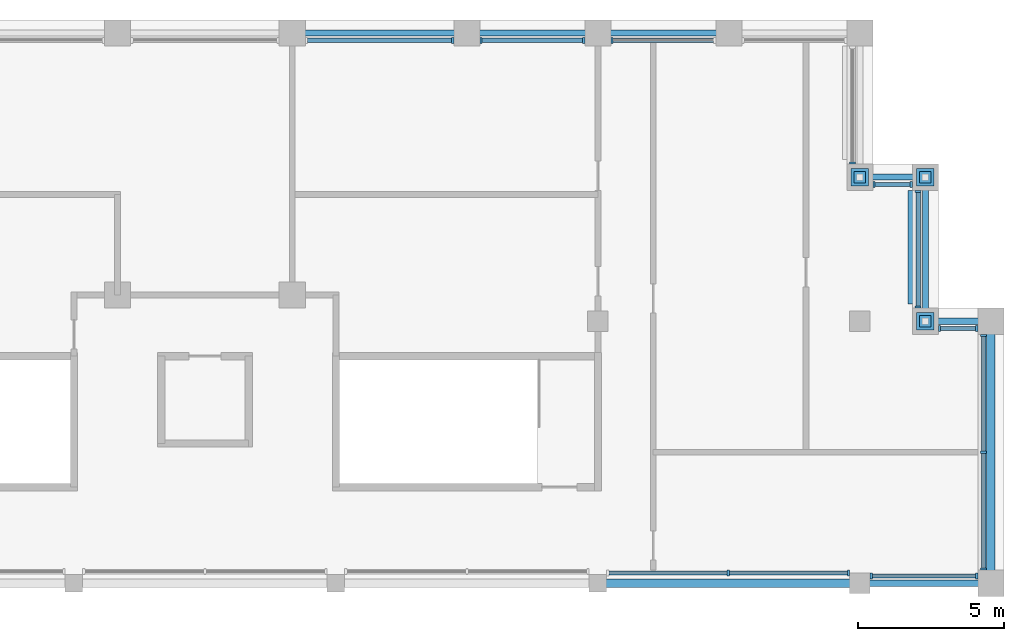
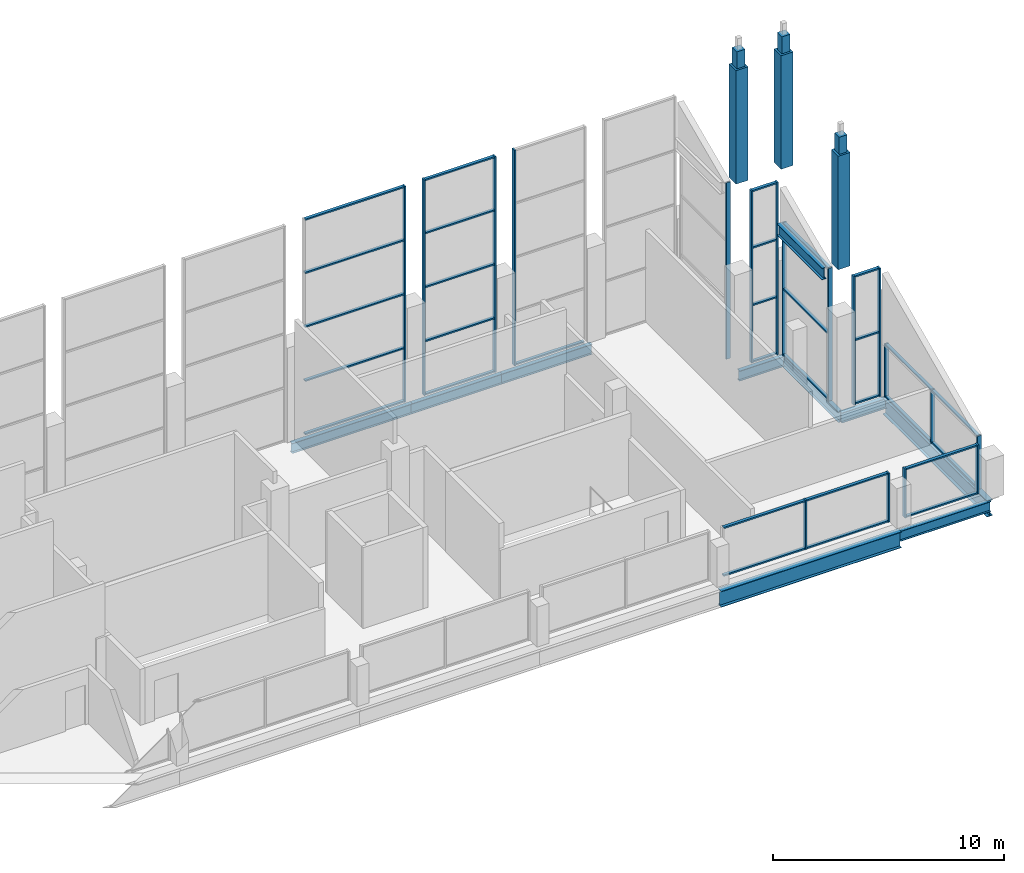
# One storey, part 4 of 9: 55 members, 10 beams, 10 elements without a shape of their own.
"""IFC4 building model written with IfcOpenShell, lengths in metres."""

from ifc_helpers import new_model, si_unit, direction, frame, origin, origin_2d, place, context, subcontext, project, spatial, rectangle, i_section, extrude, material, layer, layer_set, material_profile, profile_set, type_object, element, aggregate, save


model = new_model("IFC4")

# Units and contexts
model_context = context("Model", 3, precision=1e-05, world=origin(), true_north=direction((0.0, 1.0)))
body_context = subcontext(model_context, "Body", "Model", "MODEL_VIEW")
ifc_project = project(units=[si_unit("LENGTHUNIT", "METRE"), si_unit("AREAUNIT", "SQUARE_METRE"), si_unit("VOLUMEUNIT", "CUBIC_METRE"), si_unit("PLANEANGLEUNIT", "RADIAN"), si_unit("MASSUNIT", "GRAM", prefix="KILO")], contexts=[model_context])

# Site, building, storey
site_placement = place(None, origin())
site = spatial("IfcSite", under=ifc_project, at=site_placement, CompositionType="ELEMENT")
building_placement = place(site_placement, origin())
building = spatial("IfcBuilding", under=site, at=building_placement, Name="Corbelhall Arena Tower", CompositionType="ELEMENT")
storey_placement = place(building_placement, frame((0.0, 0.0, 386.0)))
storey = spatial("IfcBuildingStorey", under=building, at=storey_placement, Name="L83", CompositionType="ELEMENT", Elevation=386.0)

# Curtain wall, members
ifc_material_1 = material(Name="Aluminium black anodised", Category="aluminium")
ifc_layer = layer(ifc_material_1, 0.179931640625)
ifc_layer_set = layer_set([ifc_layer], Name="EV-CW3 Crown glazing")
curtain_wall_type = type_object("IfcCurtainWallType", Name="EV-CW3 Crown glazing", PredefinedType="NOTDEFINED", material=ifc_layer_set)
curtain_wall_1_placement = place(storey_placement, origin())
curtain_wall_1 = element("IfcCurtainWall", 1, at=curtain_wall_1_placement, inside=storey, type_object=curtain_wall_type, Name="Curtain wall CW3I", PredefinedType="NOTDEFINED")
ifc_material_profile_1 = material_profile(ifc_material_1, rectangle(XDim=0.199951171875, YDim=0.074951171875, at=origin_2d()))
ifc_profile_set_1 = profile_set([ifc_material_profile_1], Name="Aluminium black anodised")
member_type_1 = type_object("IfcMemberType", Name="EV-CW3-MULLION", PredefinedType="MULLION", material=ifc_profile_set_1)
member_1_placement = place(storey_placement, frame((17.97509765625, 9.35009765625, 0.0), z_axis=(0.0, 0.0, 1.0), x_axis=(0.0, 1.0, 0.0)))
member_1 = element("IfcMember", 2, at=member_1_placement, type_object=member_type_1, Name="CW3I mullion 2", PredefinedType="MULLION", context=body_context, shape_type="SweptSolid", body=[
    extrude(rectangle(XDim=0.199951171875, YDim=0.074951171875, at=origin_2d()), origin(), (0.0, 0.0, 1.0), 2.593505859375),
])
member_2_placement = place(storey_placement, frame((22.112548828125, 9.35009765625, 0.0), z_axis=(0.0, 0.0, 1.0), x_axis=(0.0, 1.0, 0.0)))
member_2 = element("IfcMember", 3, at=member_2_placement, type_object=member_type_1, Name="CW3I mullion 3", PredefinedType="MULLION", context=body_context, shape_type="SweptSolid", body=[
    extrude(rectangle(XDim=0.199951171875, YDim=0.074951171875, at=origin_2d()), origin(), (0.0, 0.0, 1.0), 2.593505859375),
])

curtain_wall_2_placement = place(storey_placement, origin())
curtain_wall_2 = element("IfcCurtainWall", 4, at=curtain_wall_2_placement, inside=storey, type_object=curtain_wall_type, Name="Curtain wall CW3E", PredefinedType="NOTDEFINED")
member_3_placement = place(storey_placement, frame((22.887451171875, 9.25, 0.0), z_axis=(0.0, 0.0, 1.0), x_axis=(0.0, 1.0, 0.0)))
member_3 = element("IfcMember", 5, at=member_3_placement, type_object=member_type_1, Name="CW3E mullion 1", PredefinedType="MULLION", context=body_context, shape_type="SweptSolid", body=[
    extrude(rectangle(XDim=0.199951171875, YDim=0.074951171875, at=origin_2d()), origin(), (0.0, 0.0, 1.0), 2.593505859375),
])
member_4_placement = place(storey_placement, frame((26.512451171875, 9.25, 0.0), z_axis=(0.0, 0.0, 1.0), x_axis=(0.0, 1.0, 0.0)))
member_4 = element("IfcMember", 6, at=member_4_placement, type_object=member_type_1, Name="CW3E mullion 2", PredefinedType="MULLION", context=body_context, shape_type="SweptSolid", body=[
    extrude(rectangle(XDim=0.199951171875, YDim=0.074951171875, at=origin_2d()), origin(), (0.0, 0.0, 1.0), 2.593505859375),
])

curtain_wall_3_placement = place(storey_placement, origin())
curtain_wall_3 = element("IfcCurtainWall", 7, at=curtain_wall_3_placement, inside=storey, type_object=curtain_wall_type, Name="Curtain wall CW3F", PredefinedType="NOTDEFINED")
member_5_placement = place(storey_placement, frame((26.75, 9.487548828125, 0.0), z_axis=(0.0, 0.0, 1.0), x_axis=(-1.0, 0.0, 0.0)))
member_5 = element("IfcMember", 8, at=member_5_placement, type_object=member_type_1, Name="CW3F mullion 1", PredefinedType="MULLION", context=body_context, shape_type="SweptSolid", body=[
    extrude(rectangle(XDim=0.199951171875, YDim=0.074951171875, at=origin_2d()), origin(), (0.0, 0.0, 1.0), 2.826416015625),
])
member_6_placement = place(storey_placement, frame((26.75, 13.5, 0.0), z_axis=(0.0, 0.0, 1.0), x_axis=(-1.0, 0.0, 0.0)))
member_6 = element("IfcMember", 9, at=member_6_placement, type_object=member_type_1, Name="CW3F mullion 2", PredefinedType="MULLION", context=body_context, shape_type="SweptSolid", body=[
    extrude(rectangle(XDim=0.199951171875, YDim=0.074951171875, at=origin_2d()), origin(), (0.0, 0.0, 1.0), 2.826416015625),
])
member_7_placement = place(storey_placement, frame((26.75, 17.512451171875, 0.0), z_axis=(0.0, 0.0, 1.0), x_axis=(-1.0, 0.0, 0.0)))
member_7 = element("IfcMember", 10, at=member_7_placement, type_object=member_type_1, Name="CW3F mullion 3", PredefinedType="MULLION", context=body_context, shape_type="SweptSolid", body=[
    extrude(rectangle(XDim=0.199951171875, YDim=0.074951171875, at=origin_2d()), origin(), (0.0, 0.0, 1.0), 2.826416015625),
])

curtain_wall_4_placement = place(storey_placement, origin())
curtain_wall_4 = element("IfcCurtainWall", 11, at=curtain_wall_4_placement, inside=storey, type_object=curtain_wall_type, Name="Curtain wall CW3C", PredefinedType="NOTDEFINED")
member_8_placement = place(storey_placement, frame((26.512451171875, 17.75, 0.0), z_axis=(0.0, 0.0, 1.0), x_axis=(0.0, -1.0, 0.0)))
member_8 = element("IfcMember", 12, at=member_8_placement, type_object=member_type_1, Name="CW3C mullion 1", PredefinedType="MULLION", context=body_context, shape_type="SweptSolid", body=[
    extrude(rectangle(XDim=0.199951171875, YDim=0.074951171875, at=origin_2d()), origin(), (0.0, 0.0, 1.0), 6.787109375),
])
member_9_placement = place(storey_placement, frame((25.237548828125, 17.75, 0.0), z_axis=(0.0, 0.0, 1.0), x_axis=(0.0, -1.0, 0.0)))
member_9 = element("IfcMember", 13, at=member_9_placement, type_object=member_type_1, Name="CW3C mullion 2", PredefinedType="MULLION", context=body_context, shape_type="SweptSolid", body=[
    extrude(rectangle(XDim=0.199951171875, YDim=0.074951171875, at=origin_2d()), origin(), (0.0, 0.0, 1.0), 6.787109375),
])

curtain_wall_5_placement = place(storey_placement, origin())
curtain_wall_5 = element("IfcCurtainWall", 14, at=curtain_wall_5_placement, inside=storey, type_object=curtain_wall_type, Name="Curtain wall CW3G", PredefinedType="NOTDEFINED")
member_10_placement = place(storey_placement, frame((24.5, 18.487548828125, 0.0), z_axis=(0.0, 0.0, 1.0), x_axis=(-1.0, 0.0, 0.0)))
member_10 = element("IfcMember", 15, at=member_10_placement, type_object=member_type_1, Name="CW3G mullion 1", PredefinedType="MULLION", context=body_context, shape_type="SweptSolid", body=[
    extrude(rectangle(XDim=0.199951171875, YDim=0.074951171875, at=origin_2d()), origin(), (0.0, 0.0, 1.0), 7.02001953125),
])
member_11_placement = place(storey_placement, frame((24.5, 22.46240234375, 0.0), z_axis=(0.0, 0.0, 1.0), x_axis=(-1.0, 0.0, 0.0)))
member_11 = element("IfcMember", 16, at=member_11_placement, type_object=member_type_1, Name="CW3G mullion 2", PredefinedType="MULLION", context=body_context, shape_type="SweptSolid", body=[
    extrude(rectangle(XDim=0.199951171875, YDim=0.074951171875, at=origin_2d()), origin(), (0.0, 0.0, 1.0), 7.02001953125),
])

curtain_wall_6_placement = place(storey_placement, origin())
curtain_wall_6 = element("IfcCurtainWall", 17, at=curtain_wall_6_placement, inside=storey, type_object=curtain_wall_type, Name="Curtain wall CW3D", PredefinedType="NOTDEFINED")
member_12_placement = place(storey_placement, frame((24.262451171875, 22.699951171875, 0.0), z_axis=(0.0, 0.0, 1.0), x_axis=(0.0, -1.0, 0.0)))
member_12 = element("IfcMember", 18, at=member_12_placement, type_object=member_type_1, Name="CW3D mullion 1", PredefinedType="MULLION", context=body_context, shape_type="SweptSolid", body=[
    extrude(rectangle(XDim=0.199951171875, YDim=0.074951171875, at=origin_2d()), origin(), (0.0, 0.0, 1.0), 9.093505859375),
])
member_13_placement = place(storey_placement, frame((22.987548828125, 22.699951171875, 0.0), z_axis=(0.0, 0.0, 1.0), x_axis=(0.0, -1.0, 0.0)))
member_13 = element("IfcMember", 19, at=member_13_placement, type_object=member_type_1, Name="CW3D mullion 2", PredefinedType="MULLION", context=body_context, shape_type="SweptSolid", body=[
    extrude(rectangle(XDim=0.199951171875, YDim=0.074951171875, at=origin_2d()), origin(), (0.0, 0.0, 1.0), 9.093505859375),
])

# Curtain wall, member
curtain_wall_7_placement = place(storey_placement, origin())
curtain_wall_7 = element("IfcCurtainWall", 20, at=curtain_wall_7_placement, inside=storey, type_object=curtain_wall_type, Name="Curtain wall CW3H", PredefinedType="NOTDEFINED")
member_14_placement = place(storey_placement, frame((22.25, 23.4375, 0.0), z_axis=(0.0, 0.0, 1.0), x_axis=(-1.0, 0.0, 0.0)))
member_14 = element("IfcMember", 21, at=member_14_placement, type_object=member_type_1, Name="CW3H mullion 1", PredefinedType="MULLION", context=body_context, shape_type="SweptSolid", body=[
    extrude(rectangle(XDim=0.199951171875, YDim=0.074951171875, at=origin_2d()), origin(), (0.0, 0.0, 1.0), 9.326416015625),
])
aggregate(curtain_wall_7, [member_14])

curtain_wall_8_placement = place(storey_placement, origin())
curtain_wall_8 = element("IfcCurtainWall", 22, at=curtain_wall_8_placement, inside=storey, type_object=curtain_wall_type, Name="Curtain wall CW3", PredefinedType="NOTDEFINED")
member_15_placement = place(storey_placement, frame((13.987548828125, 27.64990234375, 0.0), z_axis=(0.0, 0.0, 1.0), x_axis=(0.0, -1.0, 0.0)))
member_15 = element("IfcMember", 23, at=member_15_placement, type_object=member_type_1, Name="CW3 mullion 2", PredefinedType="MULLION", context=body_context, shape_type="SweptSolid", body=[
    extrude(rectangle(XDim=0.199951171875, YDim=0.074951171875, at=origin_2d()), origin(), (0.0, 0.0, 1.0), 11.39990234375),
])

# Curtain wall, members
curtain_wall_9_placement = place(storey_placement, origin())
curtain_wall_9 = element("IfcCurtainWall", 24, at=curtain_wall_9_placement, inside=storey, type_object=curtain_wall_type, Name="Curtain wall CW3", PredefinedType="NOTDEFINED")
member_16_placement = place(storey_placement, frame((13.012451171875, 27.64990234375, 0.0), z_axis=(0.0, 0.0, 1.0), x_axis=(0.0, -1.0, 0.0)))
member_16 = element("IfcMember", 25, at=member_16_placement, type_object=member_type_1, Name="CW3 mullion 1", PredefinedType="MULLION", context=body_context, shape_type="SweptSolid", body=[
    extrude(rectangle(XDim=0.199951171875, YDim=0.074951171875, at=origin_2d()), origin(), (0.0, 0.0, 1.0), 11.39990234375),
])
member_17_placement = place(storey_placement, frame((9.487548828125, 27.64990234375, 0.0), z_axis=(0.0, 0.0, 1.0), x_axis=(0.0, -1.0, 0.0)))
member_17 = element("IfcMember", 26, at=member_17_placement, type_object=member_type_1, Name="CW3 mullion 2", PredefinedType="MULLION", context=body_context, shape_type="SweptSolid", body=[
    extrude(rectangle(XDim=0.199951171875, YDim=0.074951171875, at=origin_2d()), origin(), (0.0, 0.0, 1.0), 11.39990234375),
])

# Curtain wall, member
curtain_wall_10_placement = place(storey_placement, origin())
curtain_wall_10 = element("IfcCurtainWall", 27, at=curtain_wall_10_placement, inside=storey, type_object=curtain_wall_type, Name="Curtain wall CW3B", PredefinedType="NOTDEFINED")
member_18_placement = place(storey_placement, frame((8.512451171875, 27.64990234375, 0.0), z_axis=(0.0, 0.0, 1.0), x_axis=(0.0, -1.0, 0.0)))
member_18 = element("IfcMember", 28, at=member_18_placement, type_object=member_type_1, Name="CW3B mullion 1", PredefinedType="MULLION", context=body_context, shape_type="SweptSolid", body=[
    extrude(rectangle(XDim=0.199951171875, YDim=0.074951171875, at=origin_2d()), origin(), (0.0, 0.0, 1.0), 11.39990234375),
])

# Member
ifc_material_profile_2 = material_profile(ifc_material_1, rectangle(XDim=0.14990234375, YDim=0.074951171875, at=origin_2d()))
ifc_profile_set_2 = profile_set([ifc_material_profile_2], Name="Aluminium black anodised")
member_type_2 = type_object("IfcMemberType", Name="EV-CW3-TRANSOM", PredefinedType="USERDEFINED", material=ifc_profile_set_2)
member_19_placement = place(storey_placement, frame((13.875, 9.35009765625, 0.03759765625), z_axis=(1.0, 0.0, 0.0), x_axis=(0.0, 1.0, 0.0)))
member_19 = element("IfcMember", 29, at=member_19_placement, type_object=member_type_2, Name="CW3I transom 1.1", ObjectType="transom", PredefinedType="USERDEFINED", context=body_context, shape_type="SweptSolid", body=[
    extrude(rectangle(XDim=0.14990234375, YDim=0.074951171875, at=origin_2d()), origin(), (0.0, 0.0, 1.0), 4.0625),
])

member_20_placement = place(storey_placement, frame((13.875, 9.35009765625, 2.55615234375), z_axis=(1.0, 0.0, 0.0), x_axis=(0.0, 1.0, 0.0)))
member_20 = element("IfcMember", 30, at=member_20_placement, type_object=member_type_2, Name="CW3I transom 1.2", ObjectType="transom", PredefinedType="USERDEFINED", context=body_context, shape_type="SweptSolid", body=[
    extrude(rectangle(XDim=0.14990234375, YDim=0.074951171875, at=origin_2d()), origin(), (0.0, 0.0, 1.0), 4.0625),
])

member_21_placement = place(storey_placement, frame((18.012451171875, 9.35009765625, 0.03759765625), z_axis=(1.0, 0.0, 0.0), x_axis=(0.0, 1.0, 0.0)))
member_21 = element("IfcMember", 31, at=member_21_placement, type_object=member_type_2, Name="CW3I transom 2.1", ObjectType="transom", PredefinedType="USERDEFINED", context=body_context, shape_type="SweptSolid", body=[
    extrude(rectangle(XDim=0.14990234375, YDim=0.074951171875, at=origin_2d()), origin(), (0.0, 0.0, 1.0), 4.0625),
])

member_22_placement = place(storey_placement, frame((18.012451171875, 9.35009765625, 2.55615234375), z_axis=(1.0, 0.0, 0.0), x_axis=(0.0, 1.0, 0.0)))
member_22 = element("IfcMember", 32, at=member_22_placement, type_object=member_type_2, Name="CW3I transom 2.2", ObjectType="transom", PredefinedType="USERDEFINED", context=body_context, shape_type="SweptSolid", body=[
    extrude(rectangle(XDim=0.14990234375, YDim=0.074951171875, at=origin_2d()), origin(), (0.0, 0.0, 1.0), 4.0625),
])

aggregate(curtain_wall_1, [member_1, member_2, member_19, member_20, member_21, member_22])

member_23_placement = place(storey_placement, frame((22.925048828125, 9.25, 0.03759765625), z_axis=(1.0, 0.0, 0.0), x_axis=(0.0, 1.0, 0.0)))
member_23 = element("IfcMember", 33, at=member_23_placement, type_object=member_type_2, Name="CW3E transom 1.1", ObjectType="transom", PredefinedType="USERDEFINED", context=body_context, shape_type="SweptSolid", body=[
    extrude(rectangle(XDim=0.14990234375, YDim=0.074951171875, at=origin_2d()), origin(), (0.0, 0.0, 1.0), 3.550048828125),
])

member_24_placement = place(storey_placement, frame((22.925048828125, 9.25, 2.55615234375), z_axis=(1.0, 0.0, 0.0), x_axis=(0.0, 1.0, 0.0)))
member_24 = element("IfcMember", 34, at=member_24_placement, type_object=member_type_2, Name="CW3E transom 1.2", ObjectType="transom", PredefinedType="USERDEFINED", context=body_context, shape_type="SweptSolid", body=[
    extrude(rectangle(XDim=0.14990234375, YDim=0.074951171875, at=origin_2d()), origin(), (0.0, 0.0, 1.0), 3.550048828125),
])

aggregate(curtain_wall_2, [member_3, member_4, member_23, member_24])

member_25_placement = place(storey_placement, frame((26.75, 9.52490234375, 0.03759765625), z_axis=(0.0, 1.0, 0.0), x_axis=(-1.0, 0.0, 0.0)))
member_25 = element("IfcMember", 35, at=member_25_placement, type_object=member_type_2, Name="CW3F transom 1.1", ObjectType="transom", PredefinedType="USERDEFINED", context=body_context, shape_type="SweptSolid", body=[
    extrude(rectangle(XDim=0.14990234375, YDim=0.074951171875, at=origin_2d()), origin(), (0.0, 0.0, 1.0), 3.9375),
])

member_26_placement = place(storey_placement, frame((26.75, 9.52490234375, 2.7890625), z_axis=(0.0, 1.0, 0.0), x_axis=(-1.0, 0.0, 0.0)))
member_26 = element("IfcMember", 36, at=member_26_placement, type_object=member_type_2, Name="CW3F transom 1.2", ObjectType="transom", PredefinedType="USERDEFINED", context=body_context, shape_type="SweptSolid", body=[
    extrude(rectangle(XDim=0.14990234375, YDim=0.074951171875, at=origin_2d()), origin(), (0.0, 0.0, 1.0), 3.9375),
])

member_27_placement = place(storey_placement, frame((26.75, 13.53759765625, 0.03759765625), z_axis=(0.0, 1.0, 0.0), x_axis=(-1.0, 0.0, 0.0)))
member_27 = element("IfcMember", 37, at=member_27_placement, type_object=member_type_2, Name="CW3F transom 2.1", ObjectType="transom", PredefinedType="USERDEFINED", context=body_context, shape_type="SweptSolid", body=[
    extrude(rectangle(XDim=0.14990234375, YDim=0.074951171875, at=origin_2d()), origin(), (0.0, 0.0, 1.0), 3.9375),
])

member_28_placement = place(storey_placement, frame((26.75, 13.53759765625, 2.7890625), z_axis=(0.0, 1.0, 0.0), x_axis=(-1.0, 0.0, 0.0)))
member_28 = element("IfcMember", 38, at=member_28_placement, type_object=member_type_2, Name="CW3F transom 2.2", ObjectType="transom", PredefinedType="USERDEFINED", context=body_context, shape_type="SweptSolid", body=[
    extrude(rectangle(XDim=0.14990234375, YDim=0.074951171875, at=origin_2d()), origin(), (0.0, 0.0, 1.0), 3.9375),
])

aggregate(curtain_wall_3, [member_5, member_6, member_7, member_25, member_26, member_27, member_28])

member_29_placement = place(storey_placement, frame((26.47509765625, 17.75, 0.03759765625), z_axis=(-1.0, 0.0, 0.0), x_axis=(0.0, -1.0, 0.0)))
member_29 = element("IfcMember", 39, at=member_29_placement, type_object=member_type_2, Name="CW3C transom 1.1", ObjectType="transom", PredefinedType="USERDEFINED", context=body_context, shape_type="SweptSolid", body=[
    extrude(rectangle(XDim=0.14990234375, YDim=0.074951171875, at=origin_2d()), origin(), (0.0, 0.0, 1.0), 1.2001953125),
])

member_30_placement = place(storey_placement, frame((26.47509765625, 17.75, 3.3935546875), z_axis=(-1.0, 0.0, 0.0), x_axis=(0.0, -1.0, 0.0)))
member_30 = element("IfcMember", 40, at=member_30_placement, type_object=member_type_2, Name="CW3C transom 1.2", ObjectType="transom", PredefinedType="USERDEFINED", context=body_context, shape_type="SweptSolid", body=[
    extrude(rectangle(XDim=0.14990234375, YDim=0.074951171875, at=origin_2d()), origin(), (0.0, 0.0, 1.0), 1.2001953125),
])

member_31_placement = place(storey_placement, frame((26.47509765625, 17.75, 6.74951171875), z_axis=(-1.0, 0.0, 0.0), x_axis=(0.0, -1.0, 0.0)))
member_31 = element("IfcMember", 41, at=member_31_placement, type_object=member_type_2, Name="CW3C transom 1.3", ObjectType="transom", PredefinedType="USERDEFINED", context=body_context, shape_type="SweptSolid", body=[
    extrude(rectangle(XDim=0.14990234375, YDim=0.074951171875, at=origin_2d()), origin(), (0.0, 0.0, 1.0), 1.2001953125),
])

aggregate(curtain_wall_4, [member_8, member_9, member_29, member_30, member_31])

member_32_placement = place(storey_placement, frame((24.5, 18.52490234375, 0.03759765625), z_axis=(0.0, 1.0, 0.0), x_axis=(-1.0, 0.0, 0.0)))
member_32 = element("IfcMember", 42, at=member_32_placement, type_object=member_type_2, Name="CW3G transom 1.1", ObjectType="transom", PredefinedType="USERDEFINED", context=body_context, shape_type="SweptSolid", body=[
    extrude(rectangle(XDim=0.14990234375, YDim=0.074951171875, at=origin_2d()), origin(), (0.0, 0.0, 1.0), 3.900146484375),
])

member_33_placement = place(storey_placement, frame((24.5, 18.52490234375, 3.510009765625), z_axis=(0.0, 1.0, 0.0), x_axis=(-1.0, 0.0, 0.0)))
member_33 = element("IfcMember", 43, at=member_33_placement, type_object=member_type_2, Name="CW3G transom 1.2", ObjectType="transom", PredefinedType="USERDEFINED", context=body_context, shape_type="SweptSolid", body=[
    extrude(rectangle(XDim=0.14990234375, YDim=0.074951171875, at=origin_2d()), origin(), (0.0, 0.0, 1.0), 3.900146484375),
])

member_34_placement = place(storey_placement, frame((24.5, 18.52490234375, 6.982666015625), z_axis=(0.0, 1.0, 0.0), x_axis=(-1.0, 0.0, 0.0)))
member_34 = element("IfcMember", 44, at=member_34_placement, type_object=member_type_2, Name="CW3G transom 1.3", ObjectType="transom", PredefinedType="USERDEFINED", context=body_context, shape_type="SweptSolid", body=[
    extrude(rectangle(XDim=0.14990234375, YDim=0.074951171875, at=origin_2d()), origin(), (0.0, 0.0, 1.0), 3.900146484375),
])

aggregate(curtain_wall_5, [member_10, member_11, member_32, member_33, member_34])

member_35_placement = place(storey_placement, frame((24.22509765625, 22.699951171875, 0.03759765625), z_axis=(-1.0, 0.0, 0.0), x_axis=(0.0, -1.0, 0.0)))
member_35 = element("IfcMember", 45, at=member_35_placement, type_object=member_type_2, Name="CW3D transom 1.1", ObjectType="transom", PredefinedType="USERDEFINED", context=body_context, shape_type="SweptSolid", body=[
    extrude(rectangle(XDim=0.14990234375, YDim=0.074951171875, at=origin_2d()), origin(), (0.0, 0.0, 1.0), 1.2001953125),
])

member_36_placement = place(storey_placement, frame((24.22509765625, 22.699951171875, 3.03125), z_axis=(-1.0, 0.0, 0.0), x_axis=(0.0, -1.0, 0.0)))
member_36 = element("IfcMember", 46, at=member_36_placement, type_object=member_type_2, Name="CW3D transom 1.2", ObjectType="transom", PredefinedType="USERDEFINED", context=body_context, shape_type="SweptSolid", body=[
    extrude(rectangle(XDim=0.14990234375, YDim=0.074951171875, at=origin_2d()), origin(), (0.0, 0.0, 1.0), 1.2001953125),
])

member_37_placement = place(storey_placement, frame((24.22509765625, 22.699951171875, 6.062255859375), z_axis=(-1.0, 0.0, 0.0), x_axis=(0.0, -1.0, 0.0)))
member_37 = element("IfcMember", 47, at=member_37_placement, type_object=member_type_2, Name="CW3D transom 1.3", ObjectType="transom", PredefinedType="USERDEFINED", context=body_context, shape_type="SweptSolid", body=[
    extrude(rectangle(XDim=0.14990234375, YDim=0.074951171875, at=origin_2d()), origin(), (0.0, 0.0, 1.0), 1.2001953125),
])

member_38_placement = place(storey_placement, frame((24.22509765625, 22.699951171875, 9.05615234375), z_axis=(-1.0, 0.0, 0.0), x_axis=(0.0, -1.0, 0.0)))
member_38 = element("IfcMember", 48, at=member_38_placement, type_object=member_type_2, Name="CW3D transom 1.4", ObjectType="transom", PredefinedType="USERDEFINED", context=body_context, shape_type="SweptSolid", body=[
    extrude(rectangle(XDim=0.14990234375, YDim=0.074951171875, at=origin_2d()), origin(), (0.0, 0.0, 1.0), 1.2001953125),
])

aggregate(curtain_wall_6, [member_12, member_13, member_35, member_36, member_37, member_38])

member_39_placement = place(storey_placement, frame((17.47509765625, 27.64990234375, 0.03759765625), z_axis=(-1.0, 0.0, 0.0), x_axis=(0.0, -1.0, 0.0)))
member_39 = element("IfcMember", 49, at=member_39_placement, type_object=member_type_2, Name="CW3 transom 1.1", ObjectType="transom", PredefinedType="USERDEFINED", context=body_context, shape_type="SweptSolid", body=[
    extrude(rectangle(XDim=0.14990234375, YDim=0.074951171875, at=origin_2d()), origin(), (0.0, 0.0, 1.0), 3.4501953125),
])

aggregate(curtain_wall_8, [member_15, member_39])

member_40_placement = place(storey_placement, frame((12.97509765625, 27.64990234375, 0.03759765625), z_axis=(-1.0, 0.0, 0.0), x_axis=(0.0, -1.0, 0.0)))
member_40 = element("IfcMember", 50, at=member_40_placement, type_object=member_type_2, Name="CW3 transom 1.1", ObjectType="transom", PredefinedType="USERDEFINED", context=body_context, shape_type="SweptSolid", body=[
    extrude(rectangle(XDim=0.14990234375, YDim=0.074951171875, at=origin_2d()), origin(), (0.0, 0.0, 1.0), 3.4501953125),
])

member_41_placement = place(storey_placement, frame((12.97509765625, 27.64990234375, 2.85009765625), z_axis=(-1.0, 0.0, 0.0), x_axis=(0.0, -1.0, 0.0)))
member_41 = element("IfcMember", 51, at=member_41_placement, type_object=member_type_2, Name="CW3 transom 1.2", ObjectType="transom", PredefinedType="USERDEFINED", context=body_context, shape_type="SweptSolid", body=[
    extrude(rectangle(XDim=0.14990234375, YDim=0.074951171875, at=origin_2d()), origin(), (0.0, 0.0, 1.0), 3.4501953125),
])

member_42_placement = place(storey_placement, frame((12.97509765625, 27.64990234375, 5.699951171875), z_axis=(-1.0, 0.0, 0.0), x_axis=(0.0, -1.0, 0.0)))
member_42 = element("IfcMember", 52, at=member_42_placement, type_object=member_type_2, Name="CW3 transom 1.3", ObjectType="transom", PredefinedType="USERDEFINED", context=body_context, shape_type="SweptSolid", body=[
    extrude(rectangle(XDim=0.14990234375, YDim=0.074951171875, at=origin_2d()), origin(), (0.0, 0.0, 1.0), 3.4501953125),
])

member_43_placement = place(storey_placement, frame((12.97509765625, 27.64990234375, 8.550048828125), z_axis=(-1.0, 0.0, 0.0), x_axis=(0.0, -1.0, 0.0)))
member_43 = element("IfcMember", 53, at=member_43_placement, type_object=member_type_2, Name="CW3 transom 1.4", ObjectType="transom", PredefinedType="USERDEFINED", context=body_context, shape_type="SweptSolid", body=[
    extrude(rectangle(XDim=0.14990234375, YDim=0.074951171875, at=origin_2d()), origin(), (0.0, 0.0, 1.0), 3.4501953125),
])

member_44_placement = place(storey_placement, frame((12.97509765625, 27.64990234375, 11.362548828125), z_axis=(-1.0, 0.0, 0.0), x_axis=(0.0, -1.0, 0.0)))
member_44 = element("IfcMember", 54, at=member_44_placement, type_object=member_type_2, Name="CW3 transom 1.5", ObjectType="transom", PredefinedType="USERDEFINED", context=body_context, shape_type="SweptSolid", body=[
    extrude(rectangle(XDim=0.14990234375, YDim=0.074951171875, at=origin_2d()), origin(), (0.0, 0.0, 1.0), 3.4501953125),
])

aggregate(curtain_wall_9, [member_16, member_17, member_40, member_41, member_42, member_43, member_44])

member_45_placement = place(storey_placement, frame((8.47509765625, 27.64990234375, 0.03759765625), z_axis=(-1.0, 0.0, 0.0), x_axis=(0.0, -1.0, 0.0)))
member_45 = element("IfcMember", 55, at=member_45_placement, type_object=member_type_2, Name="CW3B transom 1.1", ObjectType="transom", PredefinedType="USERDEFINED", context=body_context, shape_type="SweptSolid", body=[
    extrude(rectangle(XDim=0.14990234375, YDim=0.074951171875, at=origin_2d()), origin(), (0.0, 0.0, 1.0), 4.9501953125),
])

member_46_placement = place(storey_placement, frame((8.47509765625, 27.64990234375, 2.85009765625), z_axis=(-1.0, 0.0, 0.0), x_axis=(0.0, -1.0, 0.0)))
member_46 = element("IfcMember", 56, at=member_46_placement, type_object=member_type_2, Name="CW3B transom 1.2", ObjectType="transom", PredefinedType="USERDEFINED", context=body_context, shape_type="SweptSolid", body=[
    extrude(rectangle(XDim=0.14990234375, YDim=0.074951171875, at=origin_2d()), origin(), (0.0, 0.0, 1.0), 4.9501953125),
])

member_47_placement = place(storey_placement, frame((8.47509765625, 27.64990234375, 5.699951171875), z_axis=(-1.0, 0.0, 0.0), x_axis=(0.0, -1.0, 0.0)))
member_47 = element("IfcMember", 57, at=member_47_placement, type_object=member_type_2, Name="CW3B transom 1.3", ObjectType="transom", PredefinedType="USERDEFINED", context=body_context, shape_type="SweptSolid", body=[
    extrude(rectangle(XDim=0.14990234375, YDim=0.074951171875, at=origin_2d()), origin(), (0.0, 0.0, 1.0), 4.9501953125),
])

member_48_placement = place(storey_placement, frame((8.47509765625, 27.64990234375, 8.550048828125), z_axis=(-1.0, 0.0, 0.0), x_axis=(0.0, -1.0, 0.0)))
member_48 = element("IfcMember", 58, at=member_48_placement, type_object=member_type_2, Name="CW3B transom 1.4", ObjectType="transom", PredefinedType="USERDEFINED", context=body_context, shape_type="SweptSolid", body=[
    extrude(rectangle(XDim=0.14990234375, YDim=0.074951171875, at=origin_2d()), origin(), (0.0, 0.0, 1.0), 4.9501953125),
])

member_49_placement = place(storey_placement, frame((8.47509765625, 27.64990234375, 11.362548828125), z_axis=(-1.0, 0.0, 0.0), x_axis=(0.0, -1.0, 0.0)))
member_49 = element("IfcMember", 59, at=member_49_placement, type_object=member_type_2, Name="CW3B transom 1.5", ObjectType="transom", PredefinedType="USERDEFINED", context=body_context, shape_type="SweptSolid", body=[
    extrude(rectangle(XDim=0.14990234375, YDim=0.074951171875, at=origin_2d()), origin(), (0.0, 0.0, 1.0), 4.9501953125),
])

aggregate(curtain_wall_10, [member_18, member_45, member_46, member_47, member_48, member_49])

# Members
ifc_material_2 = material(Name="Cast aluminium bronze finish", Category="aluminium")
ifc_material_profile_3 = material_profile(ifc_material_2, rectangle(XDim=0.60009765625, YDim=0.60009765625, at=origin_2d()))
ifc_profile_set_3 = profile_set([ifc_material_profile_3], Name="Cast aluminium bronze finish")
member_type_3 = type_object("IfcMemberType", Name="EV-PN1 Pinnacle", PredefinedType="USERDEFINED", material=ifc_profile_set_3)
for number, where, z_axis, x_axis, name in (
    (60, (22.5, 22.949951171875, 9.693603515625), (0.0, 0.0, 1.0), (1.0, 0.0, 0.0), "Pinnacle"),
    (61, (24.75, 22.949951171875, 9.693603515625), (0.0, 0.0, 1.0), (1.0, 0.0, 0.0), "Pinnacle"),
    (62, (24.75, 18.0, 7.38720703125), (0.0, 0.0, 1.0), (1.0, 0.0, 0.0), "Pinnacle"),
):
    element("IfcMember", number, at=place(storey_placement, frame(where, z_axis=z_axis, x_axis=x_axis)), inside=storey, type_object=member_type_3, Name=name, ObjectType="pinnacle", PredefinedType="USERDEFINED", context=body_context, shape_type="SweptSolid", body=[
        extrude(rectangle(XDim=0.60009765625, YDim=0.60009765625, at=origin_2d()), origin(), (0.0, 0.0, 1.0), 6.0),
    ])
ifc_material_profile_4 = material_profile(ifc_material_2, rectangle(XDim=0.39990234375, YDim=0.39990234375, at=origin_2d()))
ifc_profile_set_4 = profile_set([ifc_material_profile_4], Name="Cast aluminium bronze finish")
member_type_4 = type_object("IfcMemberType", Name="EV-PN6 Pinnacle upper stage 400", PredefinedType="USERDEFINED", material=ifc_profile_set_4)
for number, where, z_axis, x_axis, name in (
    (63, (22.5, 22.949951171875, 15.693603515625), (0.0, 0.0, 1.0), (1.0, 0.0, 0.0), "Pinnacle upper stage"),
    (64, (24.75, 22.949951171875, 15.693603515625), (0.0, 0.0, 1.0), (1.0, 0.0, 0.0), "Pinnacle upper stage"),
    (65, (24.75, 18.0, 13.38720703125), (0.0, 0.0, 1.0), (1.0, 0.0, 0.0), "Pinnacle upper stage"),
):
    element("IfcMember", number, at=place(storey_placement, frame(where, z_axis=z_axis, x_axis=x_axis)), inside=storey, type_object=member_type_4, Name=name, ObjectType="pinnacle stage", PredefinedType="USERDEFINED", context=body_context, shape_type="SweptSolid", body=[
        extrude(rectangle(XDim=0.39990234375, YDim=0.39990234375, at=origin_2d()), origin(), (0.0, 0.0, 1.0), 0.89990234375),
    ])

# Beams
ifc_material_3 = material(Name="Steel ASTM A992 Gr50", Category="steel")
ifc_material_profile_5 = material_profile(ifc_material_3, i_section(OverallWidth=0.23046875, OverallDepth=0.6171875, WebThickness=0.01318359375, FlangeThickness=0.022216796875, at=origin_2d()))
ifc_profile_set_5 = profile_set([ifc_material_profile_5], Name="Steel ASTM A992 Gr50")
beam_type_1 = type_object("IfcBeamType", Name="ST-BEAM-W24x94", PredefinedType="BEAM", material=ifc_profile_set_5)
beam_1_placement = place(storey_placement, frame((24.27490234375, 18.60009765625, 6.71142578125), z_axis=(0.0, 1.0, 0.0), x_axis=(-1.0, 0.0, 0.0)))
element("IfcBeam", 66, at=beam_1_placement, inside=storey, type_object=beam_type_1, Name="Roof head beam", PredefinedType="BEAM", context=body_context, shape_type="SweptSolid", body=[
    extrude(i_section(OverallWidth=0.23046875, OverallDepth=0.6171875, WebThickness=0.01318359375, FlangeThickness=0.022216796875, at=origin_2d()), origin(), (0.0, 0.0, 1.0), 3.89990234375),
])
ifc_material_profile_6 = material_profile(ifc_material_3, i_section(OverallWidth=0.2099609375, OverallDepth=0.535888671875, WebThickness=0.010986328125, FlangeThickness=0.017333984375, at=origin_2d()))
ifc_profile_set_6 = profile_set([ifc_material_profile_6], Name="Steel ASTM A992 Gr50")
beam_type_2 = type_object("IfcBeamType", Name="ST-SPANDREL-W21x68", PredefinedType="SPANDREL", material=ifc_profile_set_6)
beam_2_placement = place(storey_placement, frame((27.0, 9.0, -0.66845703125), z_axis=(-1.0, 0.0, 0.0), x_axis=(0.0, -1.0, 0.0)))
element("IfcBeam", 67, at=beam_2_placement, inside=storey, type_object=beam_type_2, Name="Beam SP 7", PredefinedType="SPANDREL", context=body_context, shape_type="SweptSolid", body=[
    extrude(i_section(OverallWidth=0.2099609375, OverallDepth=0.535888671875, WebThickness=0.010986328125, FlangeThickness=0.017333984375, at=origin_2d()), origin(), (0.0, 0.0, 1.0), 4.5),
])
beam_3_placement = place(storey_placement, frame((3.0, 27.89990234375, -0.66845703125), z_axis=(1.0, 0.0, 0.0), x_axis=(0.0, 1.0, 0.0)))
element("IfcBeam", 68, at=beam_3_placement, inside=storey, type_object=beam_type_2, Name="Beam SP 9", PredefinedType="SPANDREL", context=body_context, shape_type="SweptSolid", body=[
    extrude(i_section(OverallWidth=0.2099609375, OverallDepth=0.535888671875, WebThickness=0.010986328125, FlangeThickness=0.017333984375, at=origin_2d()), origin(), (0.0, 0.0, 1.0), 6.0),
])
for number, where, z_axis, x_axis, name in (
    (69, (9.0, 27.89990234375, -0.66845703125), (1.0, 0.0, 0.0), (0.0, 1.0, 0.0), "Beam SP 10"),
    (70, (13.5, 27.89990234375, -0.66845703125), (1.0, 0.0, 0.0), (0.0, 1.0, 0.0), "Beam SP 11"),
):
    element("IfcBeam", number, at=place(storey_placement, frame(where, z_axis=z_axis, x_axis=x_axis)), inside=storey, type_object=beam_type_2, Name=name, PredefinedType="SPANDREL", context=body_context, shape_type="SweptSolid", body=[
        extrude(i_section(OverallWidth=0.2099609375, OverallDepth=0.535888671875, WebThickness=0.010986328125, FlangeThickness=0.017333984375, at=origin_2d()), origin(), (0.0, 0.0, 1.0), 4.5),
    ])
beam_4_placement = place(storey_placement, frame((22.5, 22.949951171875, -0.66845703125), z_axis=(1.0, 0.0, 0.0), x_axis=(0.0, 1.0, 0.0)))
element("IfcBeam", 71, at=beam_4_placement, inside=storey, type_object=beam_type_2, Name="Beam SP 21", PredefinedType="SPANDREL", context=body_context, shape_type="SweptSolid", body=[
    extrude(i_section(OverallWidth=0.2099609375, OverallDepth=0.535888671875, WebThickness=0.010986328125, FlangeThickness=0.017333984375, at=origin_2d()), origin(), (0.0, 0.0, 1.0), 2.25),
])
beam_5_placement = place(storey_placement, frame((24.75, 22.949951171875, -0.66845703125), z_axis=(0.0, -1.0, 0.0), x_axis=(1.0, 0.0, 0.0)))
element("IfcBeam", 72, at=beam_5_placement, inside=storey, type_object=beam_type_2, Name="Beam SP 22", PredefinedType="SPANDREL", context=body_context, shape_type="SweptSolid", body=[
    extrude(i_section(OverallWidth=0.2099609375, OverallDepth=0.535888671875, WebThickness=0.010986328125, FlangeThickness=0.017333984375, at=origin_2d()), origin(), (0.0, 0.0, 1.0), 4.949951171875),
])
beam_6_placement = place(storey_placement, frame((24.75, 18.0, -0.66845703125), z_axis=(1.0, 0.0, 0.0), x_axis=(0.0, 1.0, 0.0)))
element("IfcBeam", 73, at=beam_6_placement, inside=storey, type_object=beam_type_2, Name="Beam SP 23", PredefinedType="SPANDREL", context=body_context, shape_type="SweptSolid", body=[
    extrude(i_section(OverallWidth=0.2099609375, OverallDepth=0.535888671875, WebThickness=0.010986328125, FlangeThickness=0.017333984375, at=origin_2d()), origin(), (0.0, 0.0, 1.0), 2.25),
])
ifc_material_profile_7 = material_profile(ifc_material_3, i_section(OverallWidth=0.2919921875, OverallDepth=0.845703125, WebThickness=0.015380859375, FlangeThickness=0.0244140625, at=origin_2d()))
ifc_profile_set_7 = profile_set([ifc_material_profile_7], Name="Steel ASTM A992 Gr50")
beam_type_3 = type_object("IfcBeamType", Name="ST-SPANDREL-W33x141", PredefinedType="SPANDREL", material=ifc_profile_set_7)
for number, where, z_axis, x_axis, name in (
    (74, (22.5, 9.0, -0.8232421875), (-1.0, 0.0, 0.0), (0.0, -1.0, 0.0), "Beam SP 1"),
    (75, (27.0, 18.0, -0.8232421875), (0.0, -1.0, 0.0), (1.0, 0.0, 0.0), "Beam SP 8"),
):
    element("IfcBeam", number, at=place(storey_placement, frame(where, z_axis=z_axis, x_axis=x_axis)), inside=storey, type_object=beam_type_3, Name=name, PredefinedType="SPANDREL", context=body_context, shape_type="SweptSolid", body=[
        extrude(i_section(OverallWidth=0.2919921875, OverallDepth=0.845703125, WebThickness=0.015380859375, FlangeThickness=0.0244140625, at=origin_2d()), origin(), (0.0, 0.0, 1.0), 9.0),
    ])

save(model, "model.ifc")
